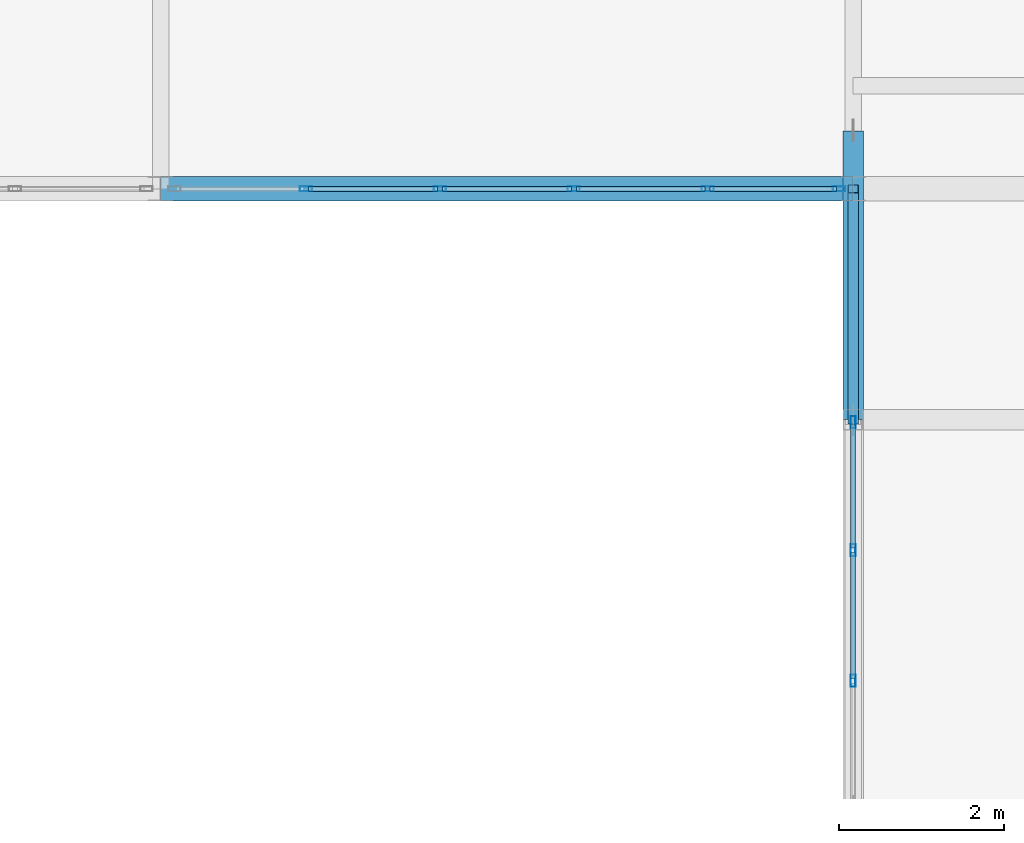
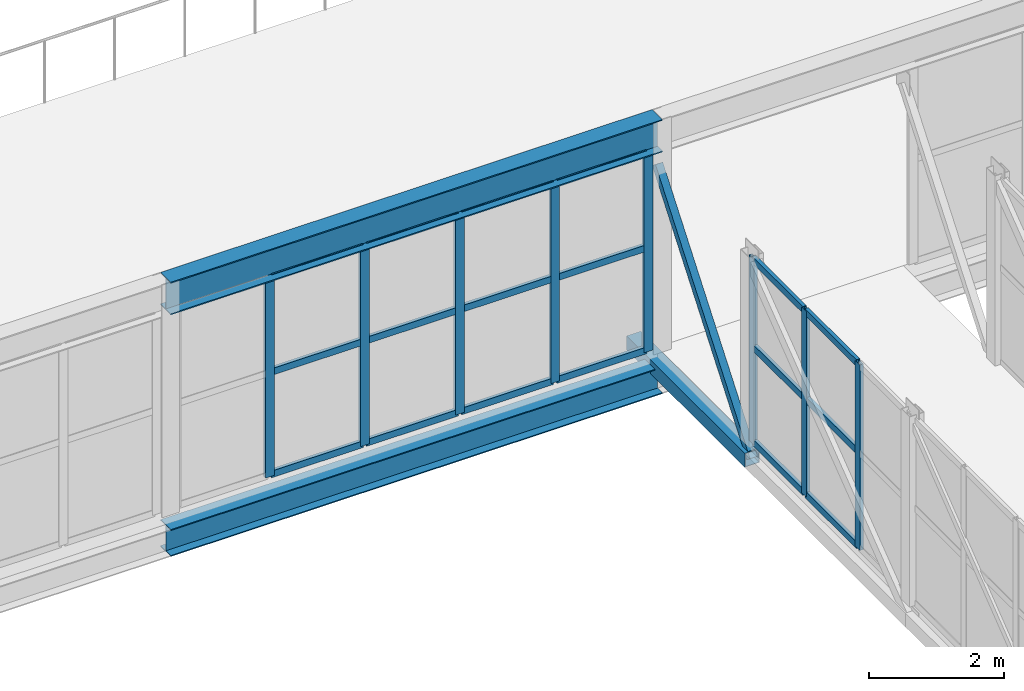
# One storey, part 94 of 218: 28 members, 2 beams, 2 elements without a shape of their own.
"""IFC4 building model written with IfcOpenShell, lengths in metres."""

from ifc_helpers import new_model, si_unit, direction, frame, origin, origin_2d, place, context, subcontext, project, spatial, hollow_rectangle, i_section, extrude, material, material_profile, profile_set, type_object, element, aggregate, save


model = new_model("IFC4")

# Units and contexts
model_context = context("Model", 3, precision=1e-05, world=origin(), true_north=direction((0.0, 1.0)))
body_context = subcontext(model_context, "Body", "Model", "MODEL_VIEW")
ifc_project = project(units=[si_unit("LENGTHUNIT", "METRE"), si_unit("AREAUNIT", "SQUARE_METRE"), si_unit("VOLUMEUNIT", "CUBIC_METRE"), si_unit("PLANEANGLEUNIT", "RADIAN"), si_unit("MASSUNIT", "GRAM", prefix="KILO")], contexts=[model_context])

# Site, building, storey
site_placement = place(None, origin())
site = spatial("IfcSite", under=ifc_project, at=site_placement, CompositionType="ELEMENT")
building_placement = place(site_placement, origin())
building = spatial("IfcBuilding", under=site, at=building_placement, Name="Kazenagashi Tramway Depot", CompositionType="ELEMENT")
storey_placement = place(building_placement, frame((0.0, 0.0, 6.0)))
storey = spatial("IfcBuildingStorey", under=building, at=storey_placement, Name="L02", CompositionType="ELEMENT", Elevation=6.0)

# Member
ifc_material_1 = material(Name="Steel STKR400", Category="steel")
ifc_material_profile_1 = material_profile(ifc_material_1, hollow_rectangle(XDim=0.125, YDim=0.125, WallThickness=0.006, at=origin_2d()), Name="SHS-125x125x6")
ifc_profile_set_1 = profile_set([ifc_material_profile_1], Name="Steel STKR400")
member_type_1 = type_object("IfcMemberType", Name="BR-05", PredefinedType="BRACE", material=ifc_profile_set_1)
member_1_placement = place(storey_placement, frame((86.8, 67.2, -0.305), z_axis=(0.0, 0.612349614577, 0.790587091677), x_axis=(-1.0, 0.0, 0.0)))
element("IfcMember", 1, at=member_1_placement, inside=storey, type_object=member_type_1, Name="Link Bridge Truss BR-05 MEM-1571", PredefinedType="BRACE", context=body_context, shape_type="SweptSolid", body=[
    extrude(hollow_rectangle(XDim=0.125, YDim=0.125, WallThickness=0.006, at=origin_2d()), origin(), (0.0, 0.0, 1.0), 4.572551),
])

# Curtain wall, members
ifc_material_2 = material(Name="Anodised Aluminium and Low-E Glazing", Category="aluminium")
curtain_wall_type_1 = type_object("IfcCurtainWallType", Name="CW-11", PredefinedType="USERDEFINED", material=ifc_material_2)
curtain_wall_1_placement = place(storey_placement, origin())
curtain_wall_1 = element("IfcCurtainWall", 2, at=curtain_wall_1_placement, inside=storey, type_object=curtain_wall_type_1, Name="Industrial Glazed Screen CW-11 CW-0026", ObjectType="GLAZED SCREEN", PredefinedType="USERDEFINED")
ifc_material_3 = material(Name="Anodised Aluminium", Category="aluminium")
ifc_material_profile_2 = material_profile(ifc_material_3, hollow_rectangle(XDim=0.06, YDim=0.15, WallThickness=0.004, at=origin_2d()), Name="RHS-150x60x4")
ifc_profile_set_2 = profile_set([ifc_material_profile_2], Name="Anodised Aluminium")
member_type_2 = type_object("IfcMemberType", Name="ML-01", PredefinedType="MULLION", material=ifc_profile_set_2)
member_2_placement = place(storey_placement, frame((80.164, 70.0, 0.0), z_axis=(0.0, 0.0, 1.0), x_axis=(0.0, 1.0, 0.0)))
member_2 = element("IfcMember", 3, at=member_2_placement, type_object=member_type_2, Name="CW-11 mullion 2", PredefinedType="MULLION", context=body_context, shape_type="SweptSolid", body=[
    extrude(hollow_rectangle(XDim=0.06, YDim=0.15, WallThickness=0.004, at=origin_2d()), origin(), (0.0, 0.0, 1.0), 3.612),
])
member_3_placement = place(storey_placement, frame((81.788, 70.0, 0.0), z_axis=(0.0, 0.0, 1.0), x_axis=(0.0, 1.0, 0.0)))
member_3 = element("IfcMember", 4, at=member_3_placement, type_object=member_type_2, Name="CW-11 mullion 3", PredefinedType="MULLION", context=body_context, shape_type="SweptSolid", body=[
    extrude(hollow_rectangle(XDim=0.06, YDim=0.15, WallThickness=0.004, at=origin_2d()), origin(), (0.0, 0.0, 1.0), 3.612),
])
member_4_placement = place(storey_placement, frame((83.412, 70.0, 0.0), z_axis=(0.0, 0.0, 1.0), x_axis=(0.0, 1.0, 0.0)))
member_4 = element("IfcMember", 5, at=member_4_placement, type_object=member_type_2, Name="CW-11 mullion 4", PredefinedType="MULLION", context=body_context, shape_type="SweptSolid", body=[
    extrude(hollow_rectangle(XDim=0.06, YDim=0.15, WallThickness=0.004, at=origin_2d()), origin(), (0.0, 0.0, 1.0), 3.612),
])
member_5_placement = place(storey_placement, frame((85.036, 70.0, 0.0), z_axis=(0.0, 0.0, 1.0), x_axis=(0.0, 1.0, 0.0)))
member_5 = element("IfcMember", 6, at=member_5_placement, type_object=member_type_2, Name="CW-11 mullion 5", PredefinedType="MULLION", context=body_context, shape_type="SweptSolid", body=[
    extrude(hollow_rectangle(XDim=0.06, YDim=0.15, WallThickness=0.004, at=origin_2d()), origin(), (0.0, 0.0, 1.0), 3.612),
])
member_6_placement = place(storey_placement, frame((86.63, 70.0, 0.0), z_axis=(0.0, 0.0, 1.0), x_axis=(0.0, 1.0, 0.0)))
member_6 = element("IfcMember", 7, at=member_6_placement, type_object=member_type_2, Name="CW-11 mullion 6", PredefinedType="MULLION", context=body_context, shape_type="SweptSolid", body=[
    extrude(hollow_rectangle(XDim=0.06, YDim=0.15, WallThickness=0.004, at=origin_2d()), origin(), (0.0, 0.0, 1.0), 3.612),
])

curtain_wall_type_2 = type_object("IfcCurtainWallType", Name="CW-29", PredefinedType="USERDEFINED", material=ifc_material_2)
curtain_wall_2_placement = place(storey_placement, origin())
curtain_wall_2 = element("IfcCurtainWall", 8, at=curtain_wall_2_placement, inside=storey, type_object=curtain_wall_type_2, Name="Industrial Glazed Screen CW-29 CW-0153", ObjectType="GLAZED SCREEN", PredefinedType="USERDEFINED")
member_7_placement = place(storey_placement, frame((86.8, 64.033333, 0.0), z_axis=(0.0, 0.0, 1.0), x_axis=(-1.0, 0.0, 0.0)))
member_7 = element("IfcMember", 9, at=member_7_placement, type_object=member_type_2, Name="CW-29 mullion 2", PredefinedType="MULLION", context=body_context, shape_type="SweptSolid", body=[
    extrude(hollow_rectangle(XDim=0.06, YDim=0.15, WallThickness=0.004, at=origin_2d()), origin(), (0.0, 0.0, 1.0), 3.35),
])
member_8_placement = place(storey_placement, frame((86.8, 65.616667, 0.0), z_axis=(0.0, 0.0, 1.0), x_axis=(-1.0, 0.0, 0.0)))
member_8 = element("IfcMember", 10, at=member_8_placement, type_object=member_type_2, Name="CW-29 mullion 3", PredefinedType="MULLION", context=body_context, shape_type="SweptSolid", body=[
    extrude(hollow_rectangle(XDim=0.06, YDim=0.15, WallThickness=0.004, at=origin_2d()), origin(), (0.0, 0.0, 1.0), 3.35),
])
member_9_placement = place(storey_placement, frame((86.8, 67.17, 0.0), z_axis=(0.0, 0.0, 1.0), x_axis=(-1.0, 0.0, 0.0)))
member_9 = element("IfcMember", 11, at=member_9_placement, type_object=member_type_2, Name="CW-29 mullion 4", PredefinedType="MULLION", context=body_context, shape_type="SweptSolid", body=[
    extrude(hollow_rectangle(XDim=0.06, YDim=0.15, WallThickness=0.004, at=origin_2d()), origin(), (0.0, 0.0, 1.0), 3.35),
])

# Beams
ifc_material_4 = material(Name="Steel SN490B", Category="steel")
ifc_material_profile_3 = material_profile(ifc_material_4, i_section(OverallWidth=0.3, OverallDepth=0.588, WebThickness=0.012, FlangeThickness=0.02, at=origin_2d()), Name="H-588x300x12x20")
ifc_profile_set_3 = profile_set([ifc_material_profile_3], Name="Steel SN490B")
beam_type_1 = type_object("IfcBeamType", Name="SP-01", PredefinedType="SPANDREL", material=ifc_profile_set_3)
beam_1_placement = place(storey_placement, frame((78.4, 70.0, 3.906), z_axis=(1.0, 0.0, 0.0), x_axis=(0.0, 1.0, 0.0)))
element("IfcBeam", 12, at=beam_1_placement, inside=storey, type_object=beam_type_1, Name="Beam SP-01 BM-1848", PredefinedType="SPANDREL", context=body_context, shape_type="SweptSolid", body=[
    extrude(i_section(OverallWidth=0.3, OverallDepth=0.588, WebThickness=0.012, FlangeThickness=0.02, at=origin_2d()), origin(), (0.0, 0.0, 1.0), 8.4),
])
ifc_material_profile_4 = material_profile(ifc_material_4, i_section(OverallWidth=0.3, OverallDepth=0.488, WebThickness=0.011, FlangeThickness=0.018, at=origin_2d()), Name="H-488x300x11x18")
ifc_profile_set_4 = profile_set([ifc_material_profile_4], Name="Steel SN490B")
beam_type_2 = type_object("IfcBeamType", Name="SP-02", PredefinedType="SPANDREL", material=ifc_profile_set_4)
beam_2_placement = place(storey_placement, frame((78.4, 70.0, -0.509), z_axis=(1.0, 0.0, 0.0), x_axis=(0.0, 1.0, 0.0)))
element("IfcBeam", 13, at=beam_2_placement, inside=storey, type_object=beam_type_2, Name="Beam SP-02 BM-1705", PredefinedType="SPANDREL", context=body_context, shape_type="SweptSolid", body=[
    extrude(i_section(OverallWidth=0.3, OverallDepth=0.488, WebThickness=0.011, FlangeThickness=0.018, at=origin_2d()), origin(), (0.0, 0.0, 1.0), 8.4),
])

# Member
ifc_material_5 = material(Name="Weathering Steel SMA490W", Category="steel")
ifc_material_profile_5 = material_profile(ifc_material_5, hollow_rectangle(XDim=0.25, YDim=0.25, WallThickness=0.009, at=origin_2d()), Name="SHS-250x250x9")
ifc_profile_set_5 = profile_set([ifc_material_profile_5], Name="Weathering Steel SMA490W")
member_type_3 = type_object("IfcMemberType", Name="TC-04", PredefinedType="CHORD", material=ifc_profile_set_5)
member_10_placement = place(storey_placement, frame((86.8, 67.2, -0.305), z_axis=(0.0, 1.0, 0.0), x_axis=(-1.0, 0.0, 0.0)))
element("IfcMember", 14, at=member_10_placement, inside=storey, type_object=member_type_3, Name="Link Bridge Truss TC-04 MEM-1569", PredefinedType="CHORD", context=body_context, shape_type="SweptSolid", body=[
    extrude(hollow_rectangle(XDim=0.25, YDim=0.25, WallThickness=0.009, at=origin_2d()), origin(), (0.0, 0.0, 1.0), 3.5),
])

ifc_material_profile_6 = material_profile(ifc_material_3, hollow_rectangle(XDim=0.06, YDim=0.12, WallThickness=0.004, at=origin_2d()), Name="RHS-120x60x4")
ifc_profile_set_6 = profile_set([ifc_material_profile_6], Name="Anodised Aluminium")
member_type_4 = type_object("IfcMemberType", Name="TR-01", PredefinedType="USERDEFINED", material=ifc_profile_set_6)
member_11_placement = place(storey_placement, frame((80.194, 70.0, 0.03), z_axis=(1.0, 0.0, 0.0), x_axis=(0.0, 1.0, 0.0)))
member_11 = element("IfcMember", 15, at=member_11_placement, type_object=member_type_4, Name="CW-11 transom 2.1", ObjectType="TRANSOM", PredefinedType="USERDEFINED", context=body_context, shape_type="SweptSolid", body=[
    extrude(hollow_rectangle(XDim=0.06, YDim=0.12, WallThickness=0.004, at=origin_2d()), origin(), (0.0, 0.0, 1.0), 1.564),
])

member_12_placement = place(storey_placement, frame((80.194, 70.0, 1.878), z_axis=(1.0, 0.0, 0.0), x_axis=(0.0, 1.0, 0.0)))
member_12 = element("IfcMember", 16, at=member_12_placement, type_object=member_type_4, Name="CW-11 transom 2.2", ObjectType="TRANSOM", PredefinedType="USERDEFINED", context=body_context, shape_type="SweptSolid", body=[
    extrude(hollow_rectangle(XDim=0.06, YDim=0.12, WallThickness=0.004, at=origin_2d()), origin(), (0.0, 0.0, 1.0), 1.564),
])

member_13_placement = place(storey_placement, frame((80.194, 70.0, 3.582), z_axis=(1.0, 0.0, 0.0), x_axis=(0.0, 1.0, 0.0)))
member_13 = element("IfcMember", 17, at=member_13_placement, type_object=member_type_4, Name="CW-11 transom 2.3", ObjectType="TRANSOM", PredefinedType="USERDEFINED", context=body_context, shape_type="SweptSolid", body=[
    extrude(hollow_rectangle(XDim=0.06, YDim=0.12, WallThickness=0.004, at=origin_2d()), origin(), (0.0, 0.0, 1.0), 1.564),
])

member_14_placement = place(storey_placement, frame((81.818, 70.0, 0.03), z_axis=(1.0, 0.0, 0.0), x_axis=(0.0, 1.0, 0.0)))
member_14 = element("IfcMember", 18, at=member_14_placement, type_object=member_type_4, Name="CW-11 transom 3.1", ObjectType="TRANSOM", PredefinedType="USERDEFINED", context=body_context, shape_type="SweptSolid", body=[
    extrude(hollow_rectangle(XDim=0.06, YDim=0.12, WallThickness=0.004, at=origin_2d()), origin(), (0.0, 0.0, 1.0), 1.564),
])

member_15_placement = place(storey_placement, frame((81.818, 70.0, 1.878), z_axis=(1.0, 0.0, 0.0), x_axis=(0.0, 1.0, 0.0)))
member_15 = element("IfcMember", 19, at=member_15_placement, type_object=member_type_4, Name="CW-11 transom 3.2", ObjectType="TRANSOM", PredefinedType="USERDEFINED", context=body_context, shape_type="SweptSolid", body=[
    extrude(hollow_rectangle(XDim=0.06, YDim=0.12, WallThickness=0.004, at=origin_2d()), origin(), (0.0, 0.0, 1.0), 1.564),
])

member_16_placement = place(storey_placement, frame((81.818, 70.0, 3.582), z_axis=(1.0, 0.0, 0.0), x_axis=(0.0, 1.0, 0.0)))
member_16 = element("IfcMember", 20, at=member_16_placement, type_object=member_type_4, Name="CW-11 transom 3.3", ObjectType="TRANSOM", PredefinedType="USERDEFINED", context=body_context, shape_type="SweptSolid", body=[
    extrude(hollow_rectangle(XDim=0.06, YDim=0.12, WallThickness=0.004, at=origin_2d()), origin(), (0.0, 0.0, 1.0), 1.564),
])

member_17_placement = place(storey_placement, frame((83.442, 70.0, 0.03), z_axis=(1.0, 0.0, 0.0), x_axis=(0.0, 1.0, 0.0)))
member_17 = element("IfcMember", 21, at=member_17_placement, type_object=member_type_4, Name="CW-11 transom 4.1", ObjectType="TRANSOM", PredefinedType="USERDEFINED", context=body_context, shape_type="SweptSolid", body=[
    extrude(hollow_rectangle(XDim=0.06, YDim=0.12, WallThickness=0.004, at=origin_2d()), origin(), (0.0, 0.0, 1.0), 1.564),
])

member_18_placement = place(storey_placement, frame((83.442, 70.0, 1.878), z_axis=(1.0, 0.0, 0.0), x_axis=(0.0, 1.0, 0.0)))
member_18 = element("IfcMember", 22, at=member_18_placement, type_object=member_type_4, Name="CW-11 transom 4.2", ObjectType="TRANSOM", PredefinedType="USERDEFINED", context=body_context, shape_type="SweptSolid", body=[
    extrude(hollow_rectangle(XDim=0.06, YDim=0.12, WallThickness=0.004, at=origin_2d()), origin(), (0.0, 0.0, 1.0), 1.564),
])

member_19_placement = place(storey_placement, frame((83.442, 70.0, 3.582), z_axis=(1.0, 0.0, 0.0), x_axis=(0.0, 1.0, 0.0)))
member_19 = element("IfcMember", 23, at=member_19_placement, type_object=member_type_4, Name="CW-11 transom 4.3", ObjectType="TRANSOM", PredefinedType="USERDEFINED", context=body_context, shape_type="SweptSolid", body=[
    extrude(hollow_rectangle(XDim=0.06, YDim=0.12, WallThickness=0.004, at=origin_2d()), origin(), (0.0, 0.0, 1.0), 1.564),
])

member_20_placement = place(storey_placement, frame((85.066, 70.0, 0.03), z_axis=(1.0, 0.0, 0.0), x_axis=(0.0, 1.0, 0.0)))
member_20 = element("IfcMember", 24, at=member_20_placement, type_object=member_type_4, Name="CW-11 transom 5.1", ObjectType="TRANSOM", PredefinedType="USERDEFINED", context=body_context, shape_type="SweptSolid", body=[
    extrude(hollow_rectangle(XDim=0.06, YDim=0.12, WallThickness=0.004, at=origin_2d()), origin(), (0.0, 0.0, 1.0), 1.534),
])

member_21_placement = place(storey_placement, frame((85.066, 70.0, 1.878), z_axis=(1.0, 0.0, 0.0), x_axis=(0.0, 1.0, 0.0)))
member_21 = element("IfcMember", 25, at=member_21_placement, type_object=member_type_4, Name="CW-11 transom 5.2", ObjectType="TRANSOM", PredefinedType="USERDEFINED", context=body_context, shape_type="SweptSolid", body=[
    extrude(hollow_rectangle(XDim=0.06, YDim=0.12, WallThickness=0.004, at=origin_2d()), origin(), (0.0, 0.0, 1.0), 1.534),
])

member_22_placement = place(storey_placement, frame((85.066, 70.0, 3.582), z_axis=(1.0, 0.0, 0.0), x_axis=(0.0, 1.0, 0.0)))
member_22 = element("IfcMember", 26, at=member_22_placement, type_object=member_type_4, Name="CW-11 transom 5.3", ObjectType="TRANSOM", PredefinedType="USERDEFINED", context=body_context, shape_type="SweptSolid", body=[
    extrude(hollow_rectangle(XDim=0.06, YDim=0.12, WallThickness=0.004, at=origin_2d()), origin(), (0.0, 0.0, 1.0), 1.534),
])

aggregate(curtain_wall_1, [member_2, member_3, member_4, member_5, member_6, member_11, member_12, member_13, member_14, member_15, member_16, member_17, member_18, member_19, member_20, member_21, member_22])

member_23_placement = place(storey_placement, frame((86.8, 64.063333, 0.03), z_axis=(0.0, 1.0, 0.0), x_axis=(-1.0, 0.0, 0.0)))
member_23 = element("IfcMember", 27, at=member_23_placement, type_object=member_type_4, Name="CW-29 transom 2.1", ObjectType="TRANSOM", PredefinedType="USERDEFINED", context=body_context, shape_type="SweptSolid", body=[
    extrude(hollow_rectangle(XDim=0.06, YDim=0.12, WallThickness=0.004, at=origin_2d()), origin(), (0.0, 0.0, 1.0), 1.523334),
])

member_24_placement = place(storey_placement, frame((86.8, 64.063333, 1.742), z_axis=(0.0, 1.0, 0.0), x_axis=(-1.0, 0.0, 0.0)))
member_24 = element("IfcMember", 28, at=member_24_placement, type_object=member_type_4, Name="CW-29 transom 2.2", ObjectType="TRANSOM", PredefinedType="USERDEFINED", context=body_context, shape_type="SweptSolid", body=[
    extrude(hollow_rectangle(XDim=0.06, YDim=0.12, WallThickness=0.004, at=origin_2d()), origin(), (0.0, 0.0, 1.0), 1.523334),
])

member_25_placement = place(storey_placement, frame((86.8, 64.063333, 3.32), z_axis=(0.0, 1.0, 0.0), x_axis=(-1.0, 0.0, 0.0)))
member_25 = element("IfcMember", 29, at=member_25_placement, type_object=member_type_4, Name="CW-29 transom 2.3", ObjectType="TRANSOM", PredefinedType="USERDEFINED", context=body_context, shape_type="SweptSolid", body=[
    extrude(hollow_rectangle(XDim=0.06, YDim=0.12, WallThickness=0.004, at=origin_2d()), origin(), (0.0, 0.0, 1.0), 1.523334),
])

member_26_placement = place(storey_placement, frame((86.8, 65.646667, 0.03), z_axis=(0.0, 1.0, 0.0), x_axis=(-1.0, 0.0, 0.0)))
member_26 = element("IfcMember", 30, at=member_26_placement, type_object=member_type_4, Name="CW-29 transom 3.1", ObjectType="TRANSOM", PredefinedType="USERDEFINED", context=body_context, shape_type="SweptSolid", body=[
    extrude(hollow_rectangle(XDim=0.06, YDim=0.12, WallThickness=0.004, at=origin_2d()), origin(), (0.0, 0.0, 1.0), 1.493333),
])

member_27_placement = place(storey_placement, frame((86.8, 65.646667, 1.742), z_axis=(0.0, 1.0, 0.0), x_axis=(-1.0, 0.0, 0.0)))
member_27 = element("IfcMember", 31, at=member_27_placement, type_object=member_type_4, Name="CW-29 transom 3.2", ObjectType="TRANSOM", PredefinedType="USERDEFINED", context=body_context, shape_type="SweptSolid", body=[
    extrude(hollow_rectangle(XDim=0.06, YDim=0.12, WallThickness=0.004, at=origin_2d()), origin(), (0.0, 0.0, 1.0), 1.493333),
])

member_28_placement = place(storey_placement, frame((86.8, 65.646667, 3.32), z_axis=(0.0, 1.0, 0.0), x_axis=(-1.0, 0.0, 0.0)))
member_28 = element("IfcMember", 32, at=member_28_placement, type_object=member_type_4, Name="CW-29 transom 3.3", ObjectType="TRANSOM", PredefinedType="USERDEFINED", context=body_context, shape_type="SweptSolid", body=[
    extrude(hollow_rectangle(XDim=0.06, YDim=0.12, WallThickness=0.004, at=origin_2d()), origin(), (0.0, 0.0, 1.0), 1.493333),
])

aggregate(curtain_wall_2, [member_7, member_8, member_9, member_23, member_24, member_25, member_26, member_27, member_28])

save(model, "model.ifc")
